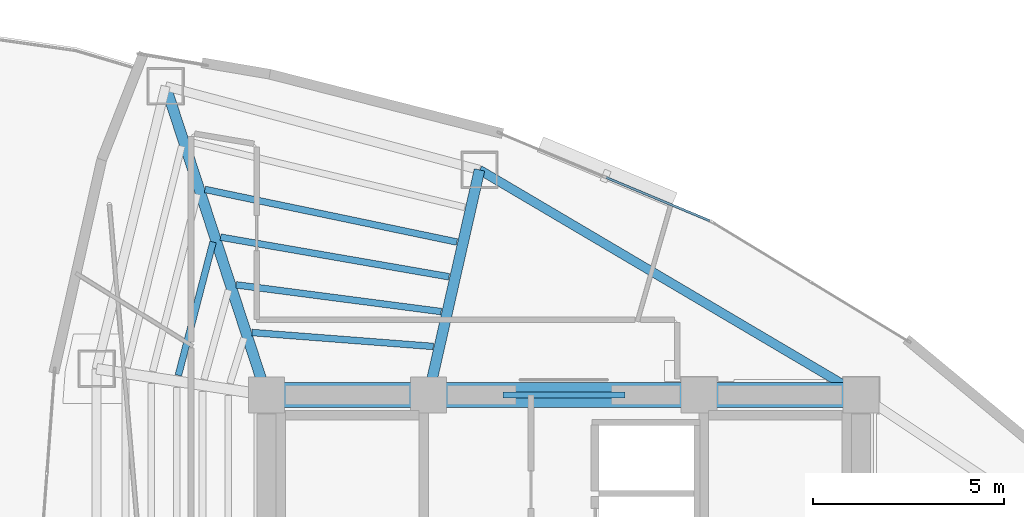
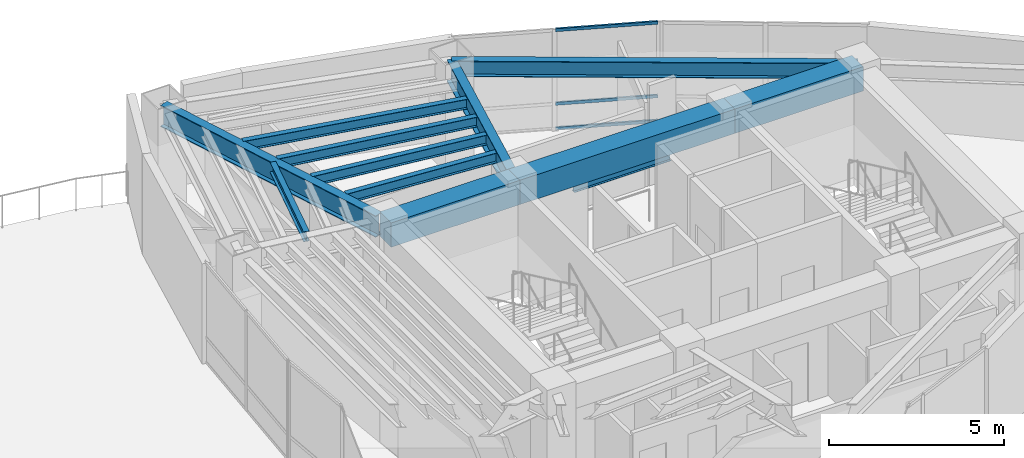
# One storey, part 7 of 17: 12 beams, 3 members, 1 element without a shape of its own.
"""IFC4 building model written with IfcOpenShell, lengths in metres."""

import ifcopenshell
import ifcopenshell.guid

model = None  # the IFC model being written
_history = None  # IfcOwnerHistory: only IFC2X3 demands one
_inside = {}  # id of a spatial element -> (the spatial element, [elements in it])
_under = {}  # id of a project, library or spatial element -> (it, [spatial elements below it])
_declared = {}  # id of a project -> (the project, [libraries it declares])
_typed = {}  # id of a type object -> (the type object, [elements of that type])
_made_of = {}  # id of a material, layer set ... -> (it, [elements and type objects made of it])


def new_model(schema):
    """Start an empty IFC model of exactly this schema.

    Asked for "IFC4X3", IfcOpenShell would pick the latest addendum, in which some entities
    have other attributes; the version numbers below select the first issue.
    IFC2X3 requires an IfcOwnerHistory on every rooted entity: one is made here for all.
    """
    global model, _history
    if schema == "IFC4X3":
        model = ifcopenshell.file(schema_version=(4, 3, 0, 0))
    else:
        model = ifcopenshell.file(schema=schema)
    _inside.clear()
    _under.clear()
    _declared.clear()
    _typed.clear()
    _made_of.clear()
    _history = None
    if model.schema == "IFC2X3":
        org = make("IfcOrganization", Name="unknown")
        user = make(
            "IfcPersonAndOrganization",
            ThePerson=make("IfcPerson", FamilyName="unknown"),
            TheOrganization=org,
        )
        app = make(
            "IfcApplication",
            ApplicationDeveloper=org,
            Version="unknown",
            ApplicationFullName="unknown",
            ApplicationIdentifier="unknown",
        )
        _history = make(
            "IfcOwnerHistory",
            OwningUser=user,
            OwningApplication=app,
            ChangeAction="ADDED",
            CreationDate=0,
        )
    return model


def make(cls, **values):
    """One entity of the class cls with the attributes given. An attribute that is None is left unset."""
    return model.create_entity(
        cls, **{name: value for name, value in values.items() if value is not None}
    )


def rooted(cls, **values):
    """An entity with a GlobalId (a new one), such as an element, a storey or a relation."""
    return make(cls, GlobalId=ifcopenshell.guid.new(), OwnerHistory=_history, **values)


def si_unit(unit_type, name, prefix=None):
    """IfcSIUnit, for example si_unit("LENGTHUNIT", "METRE", prefix="MILLI")."""
    return make("IfcSIUnit", UnitType=unit_type, Prefix=prefix, Name=name)


def assignment(units):
    """IfcUnitAssignment: the units of a project."""
    return None if units is None else make("IfcUnitAssignment", Units=units)


def point(xyz):
    """IfcCartesianPoint."""
    return None if xyz is None else make("IfcCartesianPoint", Coordinates=xyz)


def direction(xyz):
    """IfcDirection."""
    return None if xyz is None else make("IfcDirection", DirectionRatios=xyz)


def frame(location, z_axis=None, x_axis=None):
    """IfcAxis2Placement3D, a coordinate frame: its origin and axes. An axis left out is left unset."""
    return make(
        "IfcAxis2Placement3D",
        Location=point(location),
        Axis=direction(z_axis),
        RefDirection=direction(x_axis),
    )


def frame_2d(location, x_axis=None):
    """IfcAxis2Placement2D, a coordinate frame in the plane: its origin and x axis."""
    return make(
        "IfcAxis2Placement2D", Location=point(location), RefDirection=direction(x_axis)
    )


def origin():
    """The frame at (0, 0, 0) with its axes left unset."""
    return frame((0.0, 0.0, 0.0))


def origin_2d():
    """The frame at (0, 0) in the plane with its x axis left unset."""
    return frame_2d((0.0, 0.0))


def place(relative_to, where):
    """IfcLocalPlacement: puts the frame where relative to a parent placement (None: the world)."""
    return make(
        "IfcLocalPlacement", PlacementRelTo=relative_to, RelativePlacement=where
    )


def context(
    kind, dimensions, precision=None, world=None, true_north=None, identifier=None
):
    """IfcGeometricRepresentationContext, for example the 3D "Model" context."""
    return make(
        "IfcGeometricRepresentationContext",
        ContextIdentifier=identifier,
        ContextType=kind,
        CoordinateSpaceDimension=dimensions,
        Precision=precision,
        WorldCoordinateSystem=world,
        TrueNorth=true_north,
    )


def subcontext(parent, identifier, kind, view, scale=None):
    """IfcGeometricRepresentationSubContext, for example "Body" below "Model"."""
    return make(
        "IfcGeometricRepresentationSubContext",
        ContextIdentifier=identifier,
        ContextType=kind,
        ParentContext=parent,
        TargetScale=scale,
        TargetView=view,
    )


def project(units=None, contexts=None):
    """IfcProject with its units and contexts."""
    return rooted(
        "IfcProject",
        Name="project",
        RepresentationContexts=contexts,
        UnitsInContext=assignment(units),
    )


def spatial(cls, under=None, at=None, **own):
    """A site, building, storey or space (cls), placed at a placement, below another one or the project."""
    s = rooted(cls, ObjectPlacement=at, **own)
    if under is not None:
        _under.setdefault(under.id(), (under, []))[1].append(s)
    return s


def profile(cls, at=None, kind="AREA", **sizes):
    """A parametric profile (cls). Its sizes go by their IFC names, for example OverallWidth=200.0."""
    return make(cls, ProfileType=kind, Position=at, **sizes)


def rectangle(**sizes):
    """IfcRectangleProfileDef."""
    return profile("IfcRectangleProfileDef", **sizes)


def hollow_rectangle(**sizes):
    """IfcRectangleHollowProfileDef."""
    return profile("IfcRectangleHollowProfileDef", **sizes)


def i_section(**sizes):
    """IfcIShapeProfileDef."""
    return profile("IfcIShapeProfileDef", **sizes)


def extrude(swept, where, along, depth):
    """IfcExtrudedAreaSolid: the profile swept, set in the frame where, extruded along a direction by depth."""
    return make(
        "IfcExtrudedAreaSolid",
        SweptArea=swept,
        Position=where,
        ExtrudedDirection=direction(along),
        Depth=depth,
    )


def shape(context_of_items, identifier, shape_type, items):
    """IfcShapeRepresentation: the items that make up one representation, for example the "Body"."""
    return make(
        "IfcShapeRepresentation",
        ContextOfItems=context_of_items,
        RepresentationIdentifier=identifier,
        RepresentationType=shape_type,
        Items=items,
    )


def material(Name=None, Category=None):
    """IfcMaterial."""
    return make("IfcMaterial", Name=Name, Category=Category)


def layer(
    of_material, thickness, ventilated=None, Name=None, Category=None, Priority=None
):
    """IfcMaterialLayer: one layer of a wall or slab, of a material (None: an air gap)."""
    return make(
        "IfcMaterialLayer",
        Material=of_material,
        LayerThickness=thickness,
        IsVentilated=ventilated,
        Name=Name,
        Category=Category,
        Priority=Priority,
    )


def layer_set(layers, Name=None):
    """IfcMaterialLayerSet."""
    return make("IfcMaterialLayerSet", MaterialLayers=layers, LayerSetName=Name)


def material_profile(
    of_material, cross_section, Name=None, Category=None, Priority=None
):
    """IfcMaterialProfile: a cross section and its material."""
    return make(
        "IfcMaterialProfile",
        Name=Name,
        Material=of_material,
        Profile=cross_section,
        Priority=Priority,
        Category=Category,
    )


def profile_set(profiles, Name=None, composite=None):
    """IfcMaterialProfileSet."""
    return make(
        "IfcMaterialProfileSet",
        Name=Name,
        MaterialProfiles=profiles,
        CompositeProfile=composite,
    )


def made_of(thing, what):
    """Note that an element or type object is made of a material, layer set ...; save() writes the relation."""
    if what is not None:
        _made_of.setdefault(what.id(), (what, []))[1].append(thing)
    return thing


def type_object(cls, material=None, **own):
    """A type object (cls), such as IfcWallType, which elements share."""
    return made_of(rooted(cls, **own), material)


def element(
    cls,
    number,
    at=None,
    inside=None,
    cuts=None,
    type_object=None,
    material=None,
    context=None,
    identifier="Body",
    shape_type=None,
    held_by="IfcProductDefinitionShape",
    body=None,
    shapes=None,
    **own,
):
    """One element of the class cls, such as IfcWall. Its Tag is "e" and its number.

    at: its placement. inside: the storey or other place that contains it. cuts: it is an
    opening in that element (IfcRelVoidsElement). A single representation is given by context,
    identifier, shape_type and body (its items); several are given by shapes. held_by: the class
    of the entity that holds the representations. save() writes the other relations.
    """
    e = rooted(cls, Tag="e%d" % number, ObjectPlacement=at, **own)
    if body is not None:
        shapes = [shape(context, identifier, shape_type, body)]
    if shapes is not None:
        e.Representation = make(held_by, Representations=shapes)
    if inside is not None:
        _inside.setdefault(inside.id(), (inside, []))[1].append(e)
    if cuts is not None:
        rooted(
            "IfcRelVoidsElement", RelatingBuildingElement=cuts, RelatedOpeningElement=e
        )
    if type_object is not None:
        _typed.setdefault(type_object.id(), (type_object, []))[1].append(e)
    return made_of(e, material)


def aggregate(whole, parts):
    """IfcRelAggregates: a whole, such as a stair, and the parts it consists of."""
    return rooted("IfcRelAggregates", RelatingObject=whole, RelatedObjects=parts)


def save(model, path):
    """Write the relations noted so far, then the file.

    IfcRelAggregates (storeys below a building ...), IfcRelContainedInSpatialStructure (elements
    in a storey), IfcRelDefinesByType, IfcRelAssociatesMaterial and IfcRelDeclares: one each for
    every whole, place, type object, material and project.
    """
    for whole, parts in _under.values():
        aggregate(whole, parts)
    for where, things in _inside.values():
        rooted(
            "IfcRelContainedInSpatialStructure",
            RelatedElements=things,
            RelatingStructure=where,
        )
    for kind, things in _typed.values():
        rooted("IfcRelDefinesByType", RelatedObjects=things, RelatingType=kind)
    for what, things in _made_of.values():
        rooted("IfcRelAssociatesMaterial", RelatedObjects=things, RelatingMaterial=what)
    for by, libraries in _declared.values():
        rooted("IfcRelDeclares", RelatingContext=by, RelatedDefinitions=libraries)
    model.write(path)


model = new_model("IFC4")

# Units and contexts
model_context = context("Model", 3, precision=1e-05, world=origin(), true_north=direction((0.0, 1.0)))
body_context = subcontext(model_context, "Body", "Model", "MODEL_VIEW")
ifc_project = project(units=[si_unit("LENGTHUNIT", "METRE"), si_unit("AREAUNIT", "SQUARE_METRE"), si_unit("VOLUMEUNIT", "CUBIC_METRE"), si_unit("PLANEANGLEUNIT", "RADIAN"), si_unit("MASSUNIT", "GRAM", prefix="KILO")], contexts=[model_context])

# Site, building, storey
site_placement = place(None, origin())
site = spatial("IfcSite", under=ifc_project, at=site_placement, CompositionType="ELEMENT")
building_placement = place(site_placement, origin())
building = spatial("IfcBuilding", under=site, at=building_placement, Name="Menara Vayukalpa", CompositionType="ELEMENT")
storey_placement = place(building_placement, frame((0.0, 0.0, 206.39990234375)))
storey = spatial("IfcBuildingStorey", under=building, at=storey_placement, Name="L52", CompositionType="ELEMENT", Elevation=206.39990234375)

# Beams
ifc_material_1 = material(Name="Concrete C60/75", Category="concrete")
ifc_material_profile_1 = material_profile(ifc_material_1, rectangle(XDim=0.64990234375, YDim=0.85009765625, at=origin_2d()), Name="RC 650x850")
ifc_profile_set_1 = profile_set([ifc_material_profile_1], Name="Concrete C60/75")
beam_type_1 = type_object("IfcBeamType", Name="BM-CB1", PredefinedType="BEAM", material=ifc_profile_set_1)
beam_1_placement = place(storey_placement, frame((17.800048828125, 26.800048828125, 3.0751953125), z_axis=(1.0, 0.0, 0.0), x_axis=(0.0, 1.0, 0.0)))
element("IfcBeam", 1, at=beam_1_placement, inside=storey, type_object=beam_type_1, Name="L52 Core Tie Beam CBR4", PredefinedType="BEAM", context=body_context, shape_type="SweptSolid", body=[
    extrude(rectangle(XDim=0.64990234375, YDim=0.85009765625, at=origin_2d()), origin(), (0.0, 0.0, 1.0), 4.25),
])
beam_2_placement = place(storey_placement, frame((22.050048828125, 26.800048828125, 3.0751953125), z_axis=(1.0, 0.0, 0.0), x_axis=(0.0, 1.0, 0.0)))
element("IfcBeam", 2, at=beam_2_placement, inside=storey, type_object=beam_type_1, Name="L52 Core Tie Beam CBR5", PredefinedType="BEAM", context=body_context, shape_type="SweptSolid", body=[
    extrude(rectangle(XDim=0.64990234375, YDim=0.85009765625, at=origin_2d()), origin(), (0.0, 0.0, 1.0), 7.099853515625),
])
beam_3_placement = place(storey_placement, frame((29.14990234375, 26.800048828125, 3.0751953125), z_axis=(1.0, 0.0, 0.0), x_axis=(0.0, 1.0, 0.0)))
element("IfcBeam", 3, at=beam_3_placement, inside=storey, type_object=beam_type_1, Name="L52 Core Tie Beam CBR6", PredefinedType="BEAM", context=body_context, shape_type="SweptSolid", body=[
    extrude(rectangle(XDim=0.64990234375, YDim=0.85009765625, at=origin_2d()), origin(), (0.0, 0.0, 1.0), 4.25),
])
ifc_material_2 = material(Name="Steel S355", Category="steel")
ifc_material_profile_2 = material_profile(ifc_material_2, i_section(OverallWidth=0.14990234375, OverallDepth=0.300048828125, WebThickness=0.006591796875, FlangeThickness=0.009033203125, at=origin_2d()), Name="WF 300x150x6.5x9")
ifc_profile_set_2 = profile_set([ifc_material_profile_2], Name="Steel S355")
beam_type_2 = type_object("IfcBeamType", Name="BM-LN1", PredefinedType="LINTEL", material=ifc_profile_set_2)
beam_4_placement = place(storey_placement, frame((24.0, 26.800048828125, 2.380126953125), z_axis=(1.0, 0.0, 0.0), x_axis=(0.0, 1.0, 0.0)))
element("IfcBeam", 4, at=beam_4_placement, inside=storey, type_object=beam_type_2, Name="L52 North Core Steel Lintel LN1", PredefinedType="LINTEL", context=body_context, shape_type="SweptSolid", body=[
    extrude(i_section(OverallWidth=0.14990234375, OverallDepth=0.300048828125, WebThickness=0.006591796875, FlangeThickness=0.009033203125, at=origin_2d()), origin(), (0.0, 0.0, 1.0), 3.199951171875),
])
ifc_material_3 = material(Name="Steel S355", Category="steel")
ifc_material_profile_3 = material_profile(ifc_material_3, i_section(OverallWidth=0.280029296875, OverallDepth=0.75, WebThickness=0.013916015625, FlangeThickness=0.02490234375, at=origin_2d()), Name="WF 750x280x14x25")
ifc_profile_set_3 = profile_set([ifc_material_profile_3], Name="Steel S355")
beam_type_3 = type_object("IfcBeamType", Name="BM-PG4", PredefinedType="BEAM", material=ifc_profile_set_3)
beam_5_placement = place(storey_placement, frame((22.105224609375, 27.043701171875, 3.125), z_axis=(0.221085149161, 0.975254508741, 0.0), x_axis=(-0.975254508741, 0.221085149161, 0.0)))
element("IfcBeam", 5, at=beam_5_placement, inside=storey, type_object=beam_type_3, Name="L52 Primary Radial Girder RG03", PredefinedType="BEAM", context=body_context, shape_type="SweptSolid", body=[
    extrude(i_section(OverallWidth=0.280029296875, OverallDepth=0.75, WebThickness=0.013916015625, FlangeThickness=0.02490234375, at=origin_2d()), origin(), (0.0, 0.0, 1.0), 5.80859375),
])
beam_6_placement = place(storey_placement, frame((17.722412109375, 27.03759765625, 3.125), z_axis=(-0.310343552153, 0.950624468251, 0.0), x_axis=(-0.950624468251, -0.310343552153, 0.0)))
element("IfcBeam", 6, at=beam_6_placement, inside=storey, type_object=beam_type_3, Name="L52 Primary Radial Girder RG04", PredefinedType="BEAM", context=body_context, shape_type="SweptSolid", body=[
    extrude(i_section(OverallWidth=0.280029296875, OverallDepth=0.75, WebThickness=0.013916015625, FlangeThickness=0.02490234375, at=origin_2d()), origin(), (0.0, 0.0, 1.0), 8.2734375),
])
ifc_material_4 = material(Name="Steel S355", Category="steel")
ifc_material_profile_4 = material_profile(ifc_material_4, i_section(OverallWidth=0.175048828125, OverallDepth=0.35009765625, WebThickness=0.007080078125, FlangeThickness=0.010986328125, at=origin_2d()), Name="WF 350x175x7x11")
ifc_profile_set_4 = profile_set([ifc_material_profile_4], Name="Steel S355")
beam_type_4 = type_object("IfcBeamType", Name="BM-SJ3", PredefinedType="JOIST", material=ifc_profile_set_4)
beam_7_placement = place(storey_placement, frame((22.177001953125, 28.07568359375, 3.3251953125), z_axis=(-0.997061705182, 0.076602585202, 0.0), x_axis=(-0.076602585202, -0.997061705182, 0.0)))
element("IfcBeam", 7, at=beam_7_placement, inside=storey, type_object=beam_type_4, Name="L52 Secondary Floor Joist SJ03-1", PredefinedType="JOIST", context=body_context, shape_type="SweptSolid", body=[
    extrude(i_section(OverallWidth=0.175048828125, OverallDepth=0.35009765625, WebThickness=0.007080078125, FlangeThickness=0.010986328125, at=origin_2d()), origin(), (0.0, 0.0, 1.0), 4.77099609375),
])
beam_8_placement = place(storey_placement, frame((22.38330078125, 28.990478515625, 3.3251953125), z_axis=(-0.99161070493, 0.129260240866, 0.0), x_axis=(-0.129260240866, -0.99161070493, 0.0)))
element("IfcBeam", 8, at=beam_8_placement, inside=storey, type_object=beam_type_4, Name="L52 Secondary Floor Joist SJ03-2", PredefinedType="JOIST", context=body_context, shape_type="SweptSolid", body=[
    extrude(i_section(OverallWidth=0.175048828125, OverallDepth=0.35009765625, WebThickness=0.007080078125, FlangeThickness=0.010986328125, at=origin_2d()), origin(), (0.0, 0.0, 1.0), 5.420654296875),
])
beam_9_placement = place(storey_placement, frame((22.589599609375, 29.9033203125, 3.3251953125), z_axis=(-0.985288833054, 0.170897382832, 0.0), x_axis=(-0.170897382832, -0.985288833054, 0.0)))
element("IfcBeam", 9, at=beam_9_placement, inside=storey, type_object=beam_type_4, Name="L52 Secondary Floor Joist SJ03-3", PredefinedType="JOIST", context=body_context, shape_type="SweptSolid", body=[
    extrude(i_section(OverallWidth=0.175048828125, OverallDepth=0.35009765625, WebThickness=0.007080078125, FlangeThickness=0.010986328125, at=origin_2d()), origin(), (0.0, 0.0, 1.0), 6.0830078125),
])
beam_10_placement = place(storey_placement, frame((22.796142578125, 30.815185546875, 3.3251953125), z_axis=(-0.97888709748, 0.204401688806, 0.0), x_axis=(-0.204401688806, -0.97888709748, 0.0)))
element("IfcBeam", 10, at=beam_10_placement, inside=storey, type_object=beam_type_4, Name="L52 Secondary Floor Joist SJ03-4", PredefinedType="JOIST", context=body_context, shape_type="SweptSolid", body=[
    extrude(i_section(OverallWidth=0.175048828125, OverallDepth=0.35009765625, WebThickness=0.007080078125, FlangeThickness=0.010986328125, at=origin_2d()), origin(), (0.0, 0.0, 1.0), 6.75439453125),
])
beam_11_placement = place(storey_placement, frame((16.398193359375, 30.815185546875, 3.3251953125), z_axis=(-0.251714869346, -0.967801438597, 0.0), x_axis=(0.967801438597, -0.251714869346, 0.0)))
element("IfcBeam", 11, at=beam_11_placement, inside=storey, type_object=beam_type_4, Name="L52 Secondary Floor Joist SJ04-3", PredefinedType="JOIST", context=body_context, shape_type="SweptSolid", body=[
    extrude(i_section(OverallWidth=0.175048828125, OverallDepth=0.35009765625, WebThickness=0.007080078125, FlangeThickness=0.010986328125, at=origin_2d()), origin(), (0.0, 0.0, 1.0), 3.61279296875),
])
ifc_material_5 = material(Name="Steel S355", Category="steel")
ifc_material_profile_5 = material_profile(ifc_material_5, i_section(OverallWidth=0.239990234375, OverallDepth=0.550048828125, WebThickness=0.010986328125, FlangeThickness=0.01904296875, at=origin_2d()), Name="WF 550x240x11x19")
ifc_profile_set_5 = profile_set([ifc_material_profile_5], Name="Steel S355")
beam_type_5 = type_object("IfcBeamType", Name="BM-SP2", PredefinedType="SPANDREL", material=ifc_profile_set_5)
beam_12_placement = place(storey_placement, frame((33.39990234375, 26.800048828125, 3.22509765625), z_axis=(-0.861184403346, 0.508292655302, 0.0), x_axis=(-0.508292655302, -0.861184403346, 0.0)))
element("IfcBeam", 12, at=beam_12_placement, inside=storey, type_object=beam_type_5, Name="L52 Perimeter Spandrel Beam SP02", PredefinedType="SPANDREL", context=body_context, shape_type="SweptSolid", body=[
    extrude(i_section(OverallWidth=0.239990234375, OverallDepth=0.550048828125, WebThickness=0.010986328125, FlangeThickness=0.01904296875, at=origin_2d()), origin(), (0.0, 0.0, 1.0), 11.6240234375),
])

# Curtain wall, members
ifc_material_6 = material(Name="Anodised Terracotta Aluminium Alloy 6063-T6", Category="masonry")
ifc_layer = layer(ifc_material_6, 0.139892578125)
ifc_layer_set = layer_set([ifc_layer], Name="Anodised Terracotta Aluminium Alloy 6063-T6")
curtain_wall_type = type_object("IfcCurtainWallType", Name="CW-CW5", PredefinedType="USERDEFINED", material=ifc_layer_set)
curtain_wall_placement = place(storey_placement, origin())
curtain_wall = element("IfcCurtainWall", 13, at=curtain_wall_placement, inside=storey, type_object=curtain_wall_type, Name="L52 High Rise Tapered Curtain Wall CW5 05", ObjectType="UNITISED", PredefinedType="USERDEFINED")
ifc_material_7 = material(Name="Anodised Terracotta Aluminium Alloy 6063-T6", Category="masonry")
ifc_material_profile_6 = material_profile(ifc_material_7, hollow_rectangle(XDim=0.06005859375, YDim=0.10498046875, WallThickness=0.0029296875, at=origin_2d()), Name="ALU 60x105x3")
ifc_profile_set_6 = profile_set([ifc_material_profile_6], Name="Anodised Terracotta Aluminium Alloy 6063-T6")
member_type = type_object("IfcMemberType", Name="CWT-CW5", PredefinedType="USERDEFINED", material=ifc_profile_set_6)
member_1_placement = place(storey_placement, frame((29.428466796875, 31.371337890625, 0.030029296875), z_axis=(-0.922543360613, 0.385893440976, 0.0), x_axis=(-0.385893440976, -0.922543360613, 0.0)))
member_1 = element("IfcMember", 14, at=member_1_placement, type_object=member_type, Name="CW5 transom 1.1", ObjectType="TRANSOM", PredefinedType="USERDEFINED", context=body_context, shape_type="SweptSolid", body=[
    extrude(hollow_rectangle(XDim=0.06005859375, YDim=0.10498046875, WallThickness=0.0029296875, at=origin_2d()), origin(), (0.0, 0.0, 1.0), 2.942626953125),
])
member_2_placement = place(storey_placement, frame((29.428466796875, 31.371337890625, 0.900146484375), z_axis=(-0.922543360613, 0.385893440976, 0.0), x_axis=(-0.385893440976, -0.922543360613, 0.0)))
member_2 = element("IfcMember", 15, at=member_2_placement, type_object=member_type, Name="CW5 transom 1.2", ObjectType="TRANSOM", PredefinedType="USERDEFINED", context=body_context, shape_type="SweptSolid", body=[
    extrude(hollow_rectangle(XDim=0.06005859375, YDim=0.10498046875, WallThickness=0.0029296875, at=origin_2d()), origin(), (0.0, 0.0, 1.0), 2.942626953125),
])
member_3_placement = place(storey_placement, frame((29.428466796875, 31.371337890625, 3.47021484375), z_axis=(-0.922543360613, 0.385893440976, 0.0), x_axis=(-0.385893440976, -0.922543360613, 0.0)))
member_3 = element("IfcMember", 16, at=member_3_placement, type_object=member_type, Name="CW5 transom 1.3", ObjectType="TRANSOM", PredefinedType="USERDEFINED", context=body_context, shape_type="SweptSolid", body=[
    extrude(hollow_rectangle(XDim=0.06005859375, YDim=0.10498046875, WallThickness=0.0029296875, at=origin_2d()), origin(), (0.0, 0.0, 1.0), 2.942626953125),
])
aggregate(curtain_wall, [member_1, member_2, member_3])

save(model, "model.ifc")
